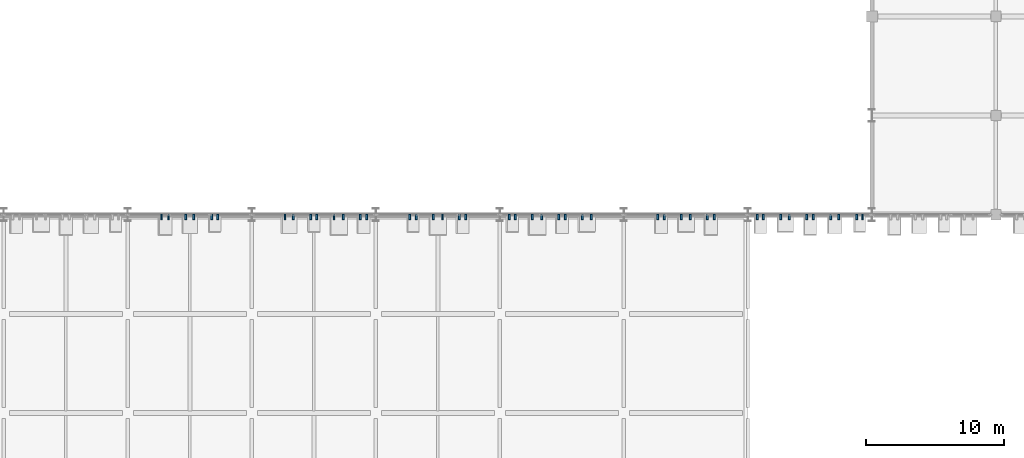
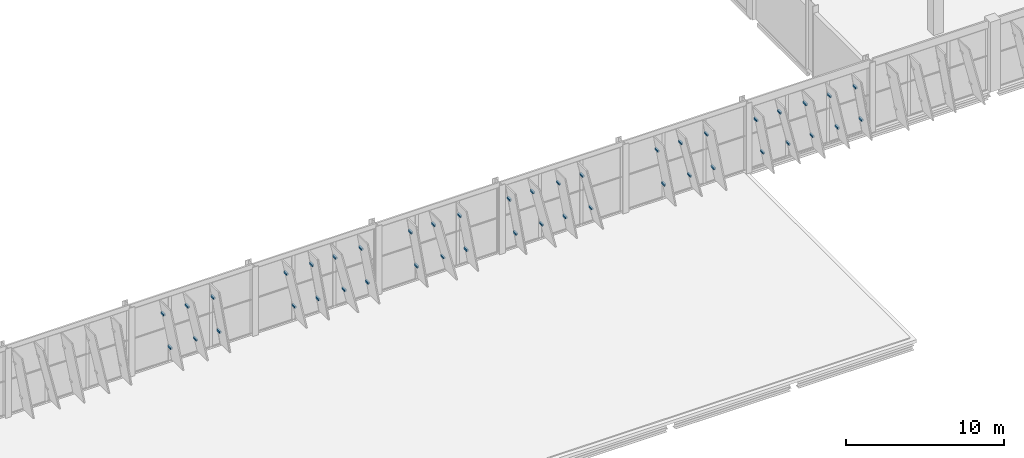
# One storey, part 148 of 189: 44 discrete accessories.
"""IFC4 building model written with IfcOpenShell, lengths in metres."""

from ifc_helpers import new_model, si_unit, direction, frame, origin, origin_2d, place, context, subcontext, project, spatial, rectangle, extrude, material, type_object, element, save


model = new_model("IFC4")

# Units and contexts
model_context = context("Model", 3, precision=1e-05, world=origin(), true_north=direction((0.0, 1.0)))
body_context = subcontext(model_context, "Body", "Model", "MODEL_VIEW")
ifc_project = project(units=[si_unit("LENGTHUNIT", "METRE"), si_unit("AREAUNIT", "SQUARE_METRE"), si_unit("VOLUMEUNIT", "CUBIC_METRE"), si_unit("PLANEANGLEUNIT", "RADIAN"), si_unit("MASSUNIT", "GRAM", prefix="KILO")], contexts=[model_context])

# Site, building, storey
site_placement = place(None, origin())
site = spatial("IfcSite", under=ifc_project, at=site_placement, CompositionType="ELEMENT")
building_placement = place(site_placement, origin())
building = spatial("IfcBuilding", under=site, at=building_placement, Name="Celestram Park Convention Centre", CompositionType="ELEMENT")
storey_placement = place(building_placement, frame((0.0, 0.0, 5.39990234375)))
storey = spatial("IfcBuildingStorey", under=building, at=storey_placement, Name="L01", CompositionType="ELEMENT", Elevation=5.39990234375)

# Discrete accessories
ifc_material = material(Name="Steel ASTM A500 Grade C", Category="steel")
discrete_accessory_type = type_object("IfcDiscreteAccessoryType", Name="ARC-BRK-OUT400", PredefinedType="BRACKET", material=ifc_material)
for number, where, z_axis, x_axis, name in (
    (1, (125.314697265625, 21.449951171875, 1.0068359375), (0.0, 0.0, 1.0), (0.0, -1.0, 0.0), "Solar fin outrigger bracket BK-L01-0783"),
    (2, (124.885498046875, 21.449951171875, 3.6572265625), (0.0, 0.0, 1.0), (0.0, -1.0, 0.0), "Solar fin outrigger bracket BK-L01-0784"),
    (3, (123.581298828125, 21.449951171875, 1.01953125), (0.0, 0.0, 1.0), (0.0, -1.0, 0.0), "Solar fin outrigger bracket BK-L01-0785"),
    (4, (123.0185546875, 21.449951171875, 3.64453125), (0.0, 0.0, 1.0), (0.0, -1.0, 0.0), "Solar fin outrigger bracket BK-L01-0786"),
    (5, (121.7421875, 21.449951171875, 1.01171875), (0.0, 0.0, 1.0), (0.0, -1.0, 0.0), "Solar fin outrigger bracket BK-L01-0787"),
    (6, (121.2578125, 21.449951171875, 3.65234375), (0.0, 0.0, 1.0), (0.0, -1.0, 0.0), "Solar fin outrigger bracket BK-L01-0788"),
    (7, (120.010986328125, 21.449951171875, 1.0263671875), (0.0, 0.0, 1.0), (0.0, -1.0, 0.0), "Solar fin outrigger bracket BK-L01-0789"),
    (8, (119.388916015625, 21.449951171875, 3.63818359375), (0.0, 0.0, 1.0), (0.0, -1.0, 0.0), "Solar fin outrigger bracket BK-L01-0790"),
    (9, (118.12841796875, 21.449951171875, 1.00927734375), (0.0, 0.0, 1.0), (0.0, -1.0, 0.0), "Solar fin outrigger bracket BK-L01-0791"),
    (10, (117.67138671875, 21.449951171875, 3.65478515625), (0.0, 0.0, 1.0), (0.0, -1.0, 0.0), "Solar fin outrigger bracket BK-L01-0792"),
    (11, (114.5537109375, 21.449951171875, 1.06201171875), (0.0, 0.0, 1.0), (0.0, -1.0, 0.0), "Solar fin outrigger bracket BK-L01-0793"),
    (12, (114.04638671875, 21.449951171875, 3.8251953125), (0.0, 0.0, 1.0), (0.0, -1.0, 0.0), "Solar fin outrigger bracket BK-L01-0794"),
    (13, (112.82568359375, 21.449951171875, 1.0771484375), (0.0, 0.0, 1.0), (0.0, -1.0, 0.0), "Solar fin outrigger bracket BK-L01-0795"),
    (14, (112.17431640625, 21.449951171875, 3.81005859375), (0.0, 0.0, 1.0), (0.0, -1.0, 0.0), "Solar fin outrigger bracket BK-L01-0796"),
    (15, (110.939208984375, 21.449951171875, 1.0595703125), (0.0, 0.0, 1.0), (0.0, -1.0, 0.0), "Solar fin outrigger bracket BK-L01-0797"),
    (16, (110.4609375, 21.449951171875, 3.828125), (0.0, 0.0, 1.0), (0.0, -1.0, 0.0), "Solar fin outrigger bracket BK-L01-0798"),
    (17, (105.62548828125, 21.449951171875, 1.0771484375), (0.0, 0.0, 1.0), (0.0, -1.0, 0.0), "Solar fin outrigger bracket BK-L01-0799"),
    (18, (104.974365234375, 21.449951171875, 3.81005859375), (0.0, 0.0, 1.0), (0.0, -1.0, 0.0), "Solar fin outrigger bracket BK-L01-0800"),
    (19, (103.739013671875, 21.449951171875, 1.0595703125), (0.0, 0.0, 1.0), (0.0, -1.0, 0.0), "Solar fin outrigger bracket BK-L01-0801"),
    (20, (103.260986328125, 21.449951171875, 3.828125), (0.0, 0.0, 1.0), (0.0, -1.0, 0.0), "Solar fin outrigger bracket BK-L01-0802"),
    (21, (102.03515625, 21.449951171875, 1.07958984375), (0.0, 0.0, 1.0), (0.0, -1.0, 0.0), "Solar fin outrigger bracket BK-L01-0803"),
    (22, (101.364990234375, 21.449951171875, 3.8076171875), (0.0, 0.0, 1.0), (0.0, -1.0, 0.0), "Solar fin outrigger bracket BK-L01-0804"),
    (23, (100.12451171875, 21.449951171875, 1.05712890625), (0.0, 0.0, 1.0), (0.0, -1.0, 0.0), "Solar fin outrigger bracket BK-L01-0805"),
    (24, (99.67529296875, 21.449951171875, 3.83056640625), (0.0, 0.0, 1.0), (0.0, -1.0, 0.0), "Solar fin outrigger bracket BK-L01-0806"),
    (25, (96.5390625, 21.449951171875, 1.0595703125), (0.0, 0.0, 1.0), (0.0, -1.0, 0.0), "Solar fin outrigger bracket BK-L01-0807"),
    (26, (96.060791015625, 21.449951171875, 3.828125), (0.0, 0.0, 1.0), (0.0, -1.0, 0.0), "Solar fin outrigger bracket BK-L01-0808"),
    (27, (94.835205078125, 21.449951171875, 1.07958984375), (0.0, 0.0, 1.0), (0.0, -1.0, 0.0), "Solar fin outrigger bracket BK-L01-0809"),
    (28, (94.164794921875, 21.449951171875, 3.8076171875), (0.0, 0.0, 1.0), (0.0, -1.0, 0.0), "Solar fin outrigger bracket BK-L01-0810"),
    (29, (92.924560546875, 21.449951171875, 1.05712890625), (0.0, 0.0, 1.0), (0.0, -1.0, 0.0), "Solar fin outrigger bracket BK-L01-0811"),
    (30, (92.475341796875, 21.449951171875, 3.83056640625), (0.0, 0.0, 1.0), (0.0, -1.0, 0.0), "Solar fin outrigger bracket BK-L01-0812"),
    (31, (89.339111328125, 21.449951171875, 1.0595703125), (0.0, 0.0, 1.0), (0.0, -1.0, 0.0), "Solar fin outrigger bracket BK-L01-0813"),
    (32, (88.86083984375, 21.449951171875, 3.828125), (0.0, 0.0, 1.0), (0.0, -1.0, 0.0), "Solar fin outrigger bracket BK-L01-0814"),
    (33, (87.635009765625, 21.449951171875, 1.07958984375), (0.0, 0.0, 1.0), (0.0, -1.0, 0.0), "Solar fin outrigger bracket BK-L01-0815"),
    (34, (86.96484375, 21.449951171875, 3.8076171875), (0.0, 0.0, 1.0), (0.0, -1.0, 0.0), "Solar fin outrigger bracket BK-L01-0816"),
    (35, (85.724609375, 21.449951171875, 1.05712890625), (0.0, 0.0, 1.0), (0.0, -1.0, 0.0), "Solar fin outrigger bracket BK-L01-0817"),
    (36, (85.275390625, 21.449951171875, 3.83056640625), (0.0, 0.0, 1.0), (0.0, -1.0, 0.0), "Solar fin outrigger bracket BK-L01-0818"),
    (37, (83.994384765625, 21.449951171875, 1.06982421875), (0.0, 0.0, 1.0), (0.0, -1.0, 0.0), "Solar fin outrigger bracket BK-L01-0819"),
    (38, (83.405517578125, 21.449951171875, 3.8173828125), (0.0, 0.0, 1.0), (0.0, -1.0, 0.0), "Solar fin outrigger bracket BK-L01-0820"),
    (39, (78.524658203125, 21.449951171875, 1.05712890625), (0.0, 0.0, 1.0), (0.0, -1.0, 0.0), "Solar fin outrigger bracket BK-L01-0821"),
    (40, (78.075439453125, 21.449951171875, 3.83056640625), (0.0, 0.0, 1.0), (0.0, -1.0, 0.0), "Solar fin outrigger bracket BK-L01-0822"),
    (41, (76.79443359375, 21.449951171875, 1.06982421875), (0.0, 0.0, 1.0), (0.0, -1.0, 0.0), "Solar fin outrigger bracket BK-L01-0823"),
    (42, (76.20556640625, 21.449951171875, 3.8173828125), (0.0, 0.0, 1.0), (0.0, -1.0, 0.0), "Solar fin outrigger bracket BK-L01-0824"),
    (43, (74.95361328125, 21.449951171875, 1.06201171875), (0.0, 0.0, 1.0), (0.0, -1.0, 0.0), "Solar fin outrigger bracket BK-L01-0825"),
    (44, (74.4462890625, 21.449951171875, 3.8251953125), (0.0, 0.0, 1.0), (0.0, -1.0, 0.0), "Solar fin outrigger bracket BK-L01-0826"),
):
    element("IfcDiscreteAccessory", number, at=place(storey_placement, frame(where, z_axis=z_axis, x_axis=x_axis)), inside=storey, type_object=discrete_accessory_type, Name=name, PredefinedType="BRACKET", context=body_context, shape_type="SweptSolid", body=[
        extrude(rectangle(XDim=0.39990234375, YDim=0.139892578125, at=origin_2d()), origin(), (0.0, 0.0, 1.0), 0.139892578125),
    ])

save(model, "model.ifc")
